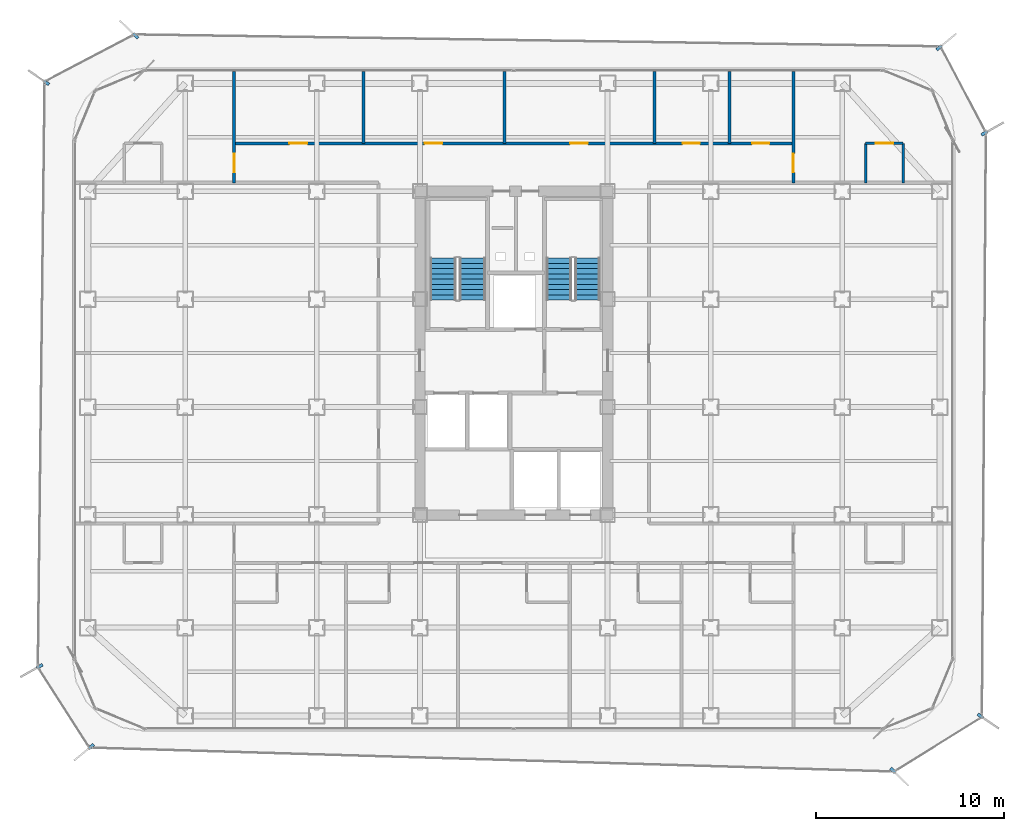
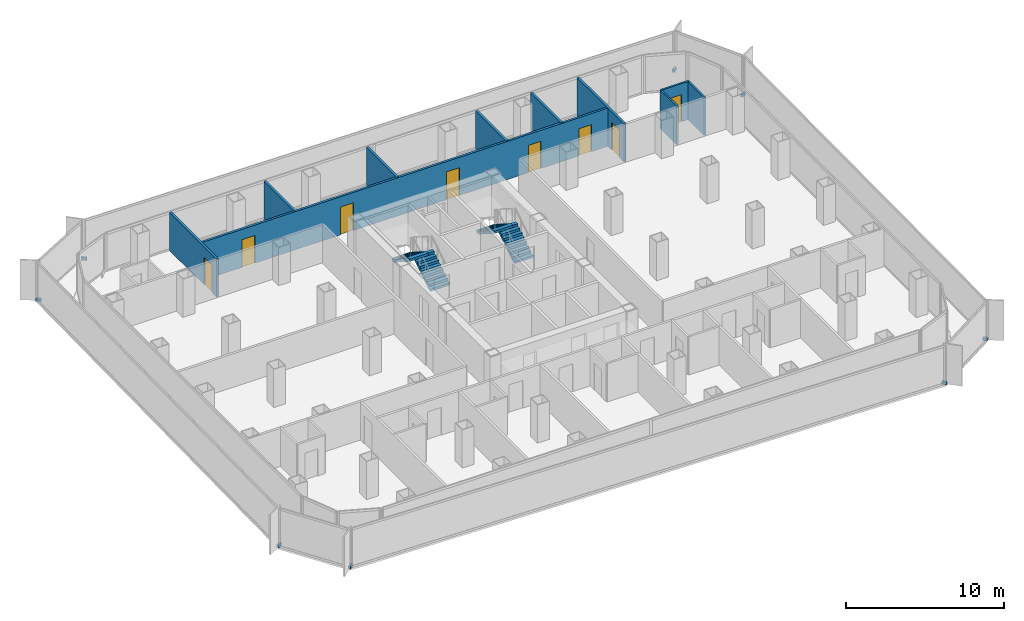
# One storey, part 18 of 21: 10 walls, 8 discrete accessories, 8 doors, 4 stair flights, 8 openings, 2 elements without a shape of their own.
"""IFC4 building model written with IfcOpenShell, lengths in metres."""

from ifc_helpers import new_model, si_unit, direction, frame, frame_2d, origin, origin_2d, place, context, subcontext, project, spatial, polyline, rectangle, outline, extrude, source, transform, mapped, material, layer, layer_set, type_object, element, fill, aggregate, save


model = new_model("IFC4")

# Units and contexts
model_context = context("Model", 3, precision=1e-05, world=origin(), true_north=direction((0.0, 1.0)))
body_context = subcontext(model_context, "Body", "Model", "MODEL_VIEW")
ifc_project = project(units=[si_unit("LENGTHUNIT", "METRE"), si_unit("AREAUNIT", "SQUARE_METRE"), si_unit("VOLUMEUNIT", "CUBIC_METRE"), si_unit("PLANEANGLEUNIT", "RADIAN"), si_unit("MASSUNIT", "GRAM", prefix="KILO")], contexts=[model_context])

# Site, building, storey
site_placement = place(None, origin())
site = spatial("IfcSite", under=ifc_project, at=site_placement, CompositionType="ELEMENT")
building_placement = place(site_placement, origin())
building = spatial("IfcBuilding", under=site, at=building_placement, Name="Kolveth Station Tower", CompositionType="ELEMENT")
storey_placement = place(building_placement, frame((0.0, 0.0, 115.10009765625)))
storey = spatial("IfcBuildingStorey", under=building, at=storey_placement, Name="L31", CompositionType="ELEMENT", Elevation=115.10009765625)

# Walls
ifc_material_1 = material(Name="Moisture-resistant gypsum partition")
ifc_layer_1 = layer(ifc_material_1, 0.135009765625)
ifc_layer_set_1 = layer_set([ifc_layer_1], Name="Moisture-resistant gypsum partition")
wall_type_1 = type_object("IfcWallType", Name="Wall_IW-135", PredefinedType="PARTITIONING", material=ifc_layer_set_1)
for number, where, z_axis, x_axis, name in (
    (1, (42.25, 29.199951171875, 0.0), (0.0, 0.0, 1.0), (0.0, 1.0, 0.0), "L31 Partition Wall WL-L31-ES2-BV1"),
    (2, (44.25, 29.199951171875, 0.0), (0.0, 0.0, 1.0), (0.0, 1.0, 0.0), "L31 Partition Wall WL-L31-ES2-BV2"),
):
    element("IfcWall", number, at=place(storey_placement, frame(where, z_axis=z_axis, x_axis=x_axis)), inside=storey, type_object=wall_type_1, Name=name, PredefinedType="PARTITIONING", context=body_context, shape_type="SweptSolid", body=[
        extrude(rectangle(XDim=2.10009765625, YDim=0.135009765625, at=frame_2d((1.050048828125, 0.0))), origin(), (0.0, 0.0, 1.0), 2.949951171875),
    ])

# Wall, opening, door
wall_1_placement = place(storey_placement, frame((42.25, 31.300048828125, 0.0), z_axis=(0.0, 0.0, 1.0), x_axis=(1.0, 0.0, 0.0)))
wall_1 = element("IfcWall", 3, at=wall_1_placement, inside=storey, type_object=wall_type_1, Name="L31 Partition Wall WL-L31-ES2-BH", PredefinedType="PARTITIONING", context=body_context, shape_type="SweptSolid", body=[
    extrude(rectangle(XDim=2.0, YDim=0.135009765625, at=frame_2d((1.0, 0.0))), origin(), (0.0, 0.0, 1.0), 2.949951171875),
])
opening_1_placement = place(wall_1_placement, frame((0.5400390625, 0.0, 0.0)))
opening_1 = element("IfcOpeningElement", 4, at=opening_1_placement, cuts=wall_1, Name="Opening ID2", PredefinedType="OPENING", context=body_context, shape_type="SweptSolid", body=[
    extrude(rectangle(XDim=0.919921875, YDim=2.10009765625, at=frame_2d((0.4599609375, 1.050048828125))), frame((0.0, 0.077392578125, 0.0), z_axis=(0.0, -1.0, 0.0), x_axis=(1.0, 0.0, 0.0)), (0.0, 0.0, 1.0), 0.155029296875),
])
ifc_material_2 = material(Name="Moisture-resistant hardwood leaf", Category="wood")
door_type_1 = type_object("IfcDoorType", Name="Door_ID2", OperationType="NOTDEFINED", PredefinedType="DOOR", material=ifc_material_2)
door_1_placement = place(opening_1_placement, frame((0.919921875, 0.0, 0.0), z_axis=(0.0, 0.0, 1.0), x_axis=(-1.0, 0.0, 0.0)))
door_1 = element("IfcDoor", 5, at=door_1_placement, inside=storey, type_object=door_type_1, Name="L31 Hotel Guest Room ES2 En-Suite Door", OperationType="SINGLE_SWING_LEFT", OverallHeight=2.10009765625, OverallWidth=0.919921875, PredefinedType="DOOR", context=body_context, shape_type="SweptSolid", body=[
    extrude(rectangle(XDim=0.919921875, YDim=2.10009765625, at=frame_2d((0.4599609375, 1.050048828125))), frame((0.0, 0.02490234375, 0.0), z_axis=(0.0, -1.0, 0.0), x_axis=(1.0, 0.0, 0.0)), (0.0, 0.0, 1.0), 0.050048828125),
])
fill(opening_1, door_1)

# Wall, openings, doors
ifc_material_3 = material(Name="Acoustic double-stud gypsum partition")
ifc_layer_2 = layer(ifc_material_3, 0.1650390625)
ifc_layer_set_2 = layer_set([ifc_layer_2], Name="Acoustic double-stud gypsum partition")
wall_type_2 = type_object("IfcWallType", Name="Wall_IW-165", PredefinedType="PARTITIONING", material=ifc_layer_set_2)
wall_2_placement = place(storey_placement, frame((8.60009765625, 31.300048828125, 0.0), z_axis=(0.0, 0.0, 1.0), x_axis=(1.0, 0.0, 0.0)))
wall_2 = element("IfcWall", 6, at=wall_2_placement, inside=storey, type_object=wall_type_2, Name="L31 Partition Wall WL-L31-HN", PredefinedType="PARTITIONING", context=body_context, shape_type="SweptSolid", body=[
    extrude(rectangle(XDim=29.7998046875, YDim=0.1650390625, at=frame_2d((14.89990234375, 0.0))), origin(), (0.0, 0.0, 1.0), 2.949951171875),
])
opening_2_placement = place(wall_2_placement, frame((2.949951171875, 0.0, 0.0)))
opening_2 = element("IfcOpeningElement", 7, at=opening_2_placement, cuts=wall_2, Name="Opening ID1", PredefinedType="OPENING", context=body_context, shape_type="SweptSolid", body=[
    extrude(rectangle(XDim=0.949951171875, YDim=2.14990234375, at=frame_2d((0.47509765625, 1.074951171875))), frame((0.0, 0.092529296875, 0.0), z_axis=(0.0, -1.0, 0.0), x_axis=(1.0, 0.0, 0.0)), (0.0, 0.0, 1.0), 0.18505859375),
])
opening_3_placement = place(wall_2_placement, frame((10.14990234375, 0.0, 0.0)))
opening_3 = element("IfcOpeningElement", 8, at=opening_3_placement, cuts=wall_2, Name="Opening ID1", PredefinedType="OPENING", context=body_context, shape_type="SweptSolid", body=[
    extrude(rectangle(XDim=0.949951171875, YDim=2.14990234375, at=frame_2d((0.47509765625, 1.074951171875))), frame((0.0, 0.092529296875, 0.0), z_axis=(0.0, -1.0, 0.0), x_axis=(1.0, 0.0, 0.0)), (0.0, 0.0, 1.0), 0.18505859375),
])
opening_4_placement = place(wall_2_placement, frame((17.89990234375, 0.0, 0.0)))
opening_4 = element("IfcOpeningElement", 9, at=opening_4_placement, cuts=wall_2, Name="Opening ID1", PredefinedType="OPENING", context=body_context, shape_type="SweptSolid", body=[
    extrude(rectangle(XDim=0.949951171875, YDim=2.14990234375, at=frame_2d((0.47509765625, 1.074951171875))), frame((0.0, 0.092529296875, 0.0), z_axis=(0.0, -1.0, 0.0), x_axis=(1.0, 0.0, 0.0)), (0.0, 0.0, 1.0), 0.18505859375),
])
opening_5_placement = place(wall_2_placement, frame((23.89990234375, 0.0, 0.0)))
opening_5 = element("IfcOpeningElement", 10, at=opening_5_placement, cuts=wall_2, Name="Opening ID2", PredefinedType="OPENING", context=body_context, shape_type="SweptSolid", body=[
    extrude(rectangle(XDim=0.919921875, YDim=2.10009765625, at=frame_2d((0.4599609375, 1.050048828125))), frame((0.0, 0.092529296875, 0.0), z_axis=(0.0, -1.0, 0.0), x_axis=(1.0, 0.0, 0.0)), (0.0, 0.0, 1.0), 0.18505859375),
])
opening_6_placement = place(wall_2_placement, frame((27.60009765625, 0.0, 0.0)))
opening_6 = element("IfcOpeningElement", 11, at=opening_6_placement, cuts=wall_2, Name="Opening ID2", PredefinedType="OPENING", context=body_context, shape_type="SweptSolid", body=[
    extrude(rectangle(XDim=0.919921875, YDim=2.10009765625, at=frame_2d((0.4599609375, 1.050048828125))), frame((0.0, 0.092529296875, 0.0), z_axis=(0.0, -1.0, 0.0), x_axis=(1.0, 0.0, 0.0)), (0.0, 0.0, 1.0), 0.18505859375),
])
ifc_material_4 = material(Name="Acoustic hardwood leaf and aluminium frame", Category="wood")
door_type_2 = type_object("IfcDoorType", Name="Door_ID1", OperationType="NOTDEFINED", PredefinedType="DOOR", material=ifc_material_4)
door_2_placement = place(opening_2_placement, origin())
door_2 = element("IfcDoor", 12, at=door_2_placement, inside=storey, type_object=door_type_2, Name="L31 Business Study 1 Door", OperationType="SINGLE_SWING_LEFT", OverallHeight=2.14990234375, OverallWidth=0.949951171875, PredefinedType="DOOR", context=body_context, shape_type="SweptSolid", body=[
    extrude(rectangle(XDim=0.949951171875, YDim=2.14990234375, at=frame_2d((0.47509765625, 1.074951171875))), frame((0.0, 0.02490234375, 0.0), z_axis=(0.0, -1.0, 0.0), x_axis=(1.0, 0.0, 0.0)), (0.0, 0.0, 1.0), 0.050048828125),
])
fill(opening_2, door_2)
door_3_placement = place(opening_3_placement, origin())
door_3 = element("IfcDoor", 13, at=door_3_placement, inside=storey, type_object=door_type_2, Name="L31 Business Study 2 Door", OperationType="SINGLE_SWING_LEFT", OverallHeight=2.14990234375, OverallWidth=0.949951171875, PredefinedType="DOOR", context=body_context, shape_type="SweptSolid", body=[
    extrude(rectangle(XDim=0.949951171875, YDim=2.14990234375, at=frame_2d((0.47509765625, 1.074951171875))), frame((0.0, 0.02490234375, 0.0), z_axis=(0.0, -1.0, 0.0), x_axis=(1.0, 0.0, 0.0)), (0.0, 0.0, 1.0), 0.050048828125),
])
fill(opening_3, door_3)
door_4_placement = place(opening_4_placement, origin())
door_4 = element("IfcDoor", 14, at=door_4_placement, inside=storey, type_object=door_type_2, Name="L31 Floor Service Pantry Door", OperationType="SINGLE_SWING_LEFT", OverallHeight=2.14990234375, OverallWidth=0.949951171875, PredefinedType="DOOR", context=body_context, shape_type="SweptSolid", body=[
    extrude(rectangle(XDim=0.949951171875, YDim=2.14990234375, at=frame_2d((0.47509765625, 1.074951171875))), frame((0.0, 0.02490234375, 0.0), z_axis=(0.0, -1.0, 0.0), x_axis=(1.0, 0.0, 0.0)), (0.0, 0.0, 1.0), 0.050048828125),
])
fill(opening_4, door_4)
door_5_placement = place(opening_5_placement, origin())
door_5 = element("IfcDoor", 15, at=door_5_placement, inside=storey, type_object=door_type_1, Name="L31 Guest Toilet Door", OperationType="SINGLE_SWING_RIGHT", OverallHeight=2.10009765625, OverallWidth=0.919921875, PredefinedType="DOOR", context=body_context, shape_type="SweptSolid", body=[
    extrude(rectangle(XDim=0.919921875, YDim=2.10009765625, at=frame_2d((0.4599609375, 1.050048828125))), frame((0.0, 0.02490234375, 0.0), z_axis=(0.0, -1.0, 0.0), x_axis=(1.0, 0.0, 0.0)), (0.0, 0.0, 1.0), 0.050048828125),
])
fill(opening_5, door_5)
door_6_placement = place(opening_6_placement, origin())
door_6 = element("IfcDoor", 16, at=door_6_placement, inside=storey, type_object=door_type_1, Name="L31 Accessible Guest WC Door", OperationType="SINGLE_SWING_LEFT", OverallHeight=2.10009765625, OverallWidth=0.919921875, PredefinedType="DOOR", context=body_context, shape_type="SweptSolid", body=[
    extrude(rectangle(XDim=0.919921875, YDim=2.10009765625, at=frame_2d((0.4599609375, 1.050048828125))), frame((0.0, 0.02490234375, 0.0), z_axis=(0.0, -1.0, 0.0), x_axis=(1.0, 0.0, 0.0)), (0.0, 0.0, 1.0), 0.050048828125),
])
fill(opening_6, door_6)

# Wall, opening, door
wall_3_placement = place(storey_placement, frame((8.60009765625, 29.199951171875, 0.0), z_axis=(0.0, 0.0, 1.0), x_axis=(0.0, 1.0, 0.0)))
wall_3 = element("IfcWall", 17, at=wall_3_placement, inside=storey, type_object=wall_type_2, Name="L31 Partition Wall WL-L31-END-WN", PredefinedType="PARTITIONING", context=body_context, shape_type="SweptSolid", body=[
    extrude(rectangle(XDim=5.93994140625, YDim=0.1650390625, at=frame_2d((2.969970703125, 0.0))), origin(), (0.0, 0.0, 1.0), 2.949951171875),
])
opening_7_placement = place(wall_3_placement, frame((0.550048828125, 0.0, 0.0)))
opening_7 = element("IfcOpeningElement", 18, at=opening_7_placement, cuts=wall_3, Name="Opening FD3", PredefinedType="OPENING", context=body_context, shape_type="SweptSolid", body=[
    extrude(rectangle(XDim=1.0, YDim=2.14990234375, at=frame_2d((0.5, 1.074951171875))), frame((0.0, 0.092529296875, 0.0), z_axis=(0.0, -1.0, 0.0), x_axis=(1.0, 0.0, 0.0)), (0.0, 0.0, 1.0), 0.18505859375),
])
ifc_material_5 = material(Name="Fire-rated hardwood leaf and aluminium frame", Category="wood")
door_type_3 = type_object("IfcDoorType", Name="Door_FD3", OperationType="NOTDEFINED", PredefinedType="DOOR", material=ifc_material_5)
door_7_placement = place(opening_7_placement, origin())
door_7 = element("IfcDoor", 19, at=door_7_placement, inside=storey, type_object=door_type_3, Name="L31 Hotel Corner Suite WS2 Entrance Door", OperationType="SINGLE_SWING_RIGHT", OverallHeight=2.14990234375, OverallWidth=1.0, PredefinedType="DOOR", context=body_context, shape_type="SweptSolid", body=[
    extrude(rectangle(XDim=1.0, YDim=2.14990234375, at=frame_2d((0.5, 1.074951171875))), frame((0.0, 0.02490234375, 0.0), z_axis=(0.0, -1.0, 0.0), x_axis=(1.0, 0.0, 0.0)), (0.0, 0.0, 1.0), 0.050048828125),
])
fill(opening_7, door_7)

wall_4_placement = place(storey_placement, frame((38.39990234375, 29.199951171875, 0.0), z_axis=(0.0, 0.0, 1.0), x_axis=(0.0, 1.0, 0.0)))
wall_4 = element("IfcWall", 20, at=wall_4_placement, inside=storey, type_object=wall_type_2, Name="L31 Partition Wall WL-L31-END-EN", PredefinedType="PARTITIONING", context=body_context, shape_type="SweptSolid", body=[
    extrude(rectangle(XDim=5.93994140625, YDim=0.1650390625, at=frame_2d((2.969970703125, 0.0))), origin(), (0.0, 0.0, 1.0), 2.949951171875),
])
opening_8_placement = place(wall_4_placement, frame((0.550048828125, 0.0, 0.0)))
opening_8 = element("IfcOpeningElement", 21, at=opening_8_placement, cuts=wall_4, Name="Opening FD3", PredefinedType="OPENING", context=body_context, shape_type="SweptSolid", body=[
    extrude(rectangle(XDim=1.0, YDim=2.14990234375, at=frame_2d((0.5, 1.074951171875))), frame((0.0, 0.092529296875, 0.0), z_axis=(0.0, -1.0, 0.0), x_axis=(1.0, 0.0, 0.0)), (0.0, 0.0, 1.0), 0.18505859375),
])
door_8_placement = place(opening_8_placement, frame((1.0, 0.0, 0.0), z_axis=(0.0, 0.0, 1.0), x_axis=(-1.0, 0.0, 0.0)))
door_8 = element("IfcDoor", 22, at=door_8_placement, inside=storey, type_object=door_type_3, Name="L31 Hotel Guest Room ES2 Entrance Door", OperationType="SINGLE_SWING_RIGHT", OverallHeight=2.14990234375, OverallWidth=1.0, PredefinedType="DOOR", context=body_context, shape_type="SweptSolid", body=[
    extrude(rectangle(XDim=1.0, YDim=2.14990234375, at=frame_2d((0.5, 1.074951171875))), frame((0.0, 0.02490234375, 0.0), z_axis=(0.0, -1.0, 0.0), x_axis=(1.0, 0.0, 0.0)), (0.0, 0.0, 1.0), 0.050048828125),
])
fill(opening_8, door_8)

# Walls
for number, where, z_axis, x_axis, name in (
    (23, (15.5, 31.300048828125, 0.0), (0.0, 0.0, 1.0), (0.0, 1.0, 0.0), "L31 Partition Wall WL-L31-HN-P1"),
    (24, (23.0, 31.300048828125, 0.0), (0.0, 0.0, 1.0), (0.0, 1.0, 0.0), "L31 Partition Wall WL-L31-HN-P2"),
    (25, (31.0, 31.300048828125, 0.0), (0.0, 0.0, 1.0), (0.0, 1.0, 0.0), "L31 Partition Wall WL-L31-HN-P3"),
    (26, (35.0, 31.300048828125, 0.0), (0.0, 0.0, 1.0), (0.0, 1.0, 0.0), "L31 Partition Wall WL-L31-HN-P4"),
):
    element("IfcWall", number, at=place(storey_placement, frame(where, z_axis=z_axis, x_axis=x_axis)), inside=storey, type_object=wall_type_2, Name=name, PredefinedType="PARTITIONING", context=body_context, shape_type="SweptSolid", body=[
        extrude(rectangle(XDim=3.83984375, YDim=0.1650390625, at=frame_2d((1.919921875, 0.0))), origin(), (0.0, 0.0, 1.0), 2.949951171875),
    ])

# Stair, stair flights
ifc_material_6 = material(Name="Concrete C40/50", Category="concrete")
stair_type_1 = type_object("IfcStairType", Name="Stair_ST1", PredefinedType="HALF_TURN_STAIR", material=ifc_material_6)
stair_1_placement = place(storey_placement, origin())
stair_1 = element("IfcStair", 27, at=stair_1_placement, inside=storey, type_object=stair_type_1, Name="L31 Tower Exit Stair ST1", PredefinedType="HALF_TURN_STAIR")
ifc_layer_3 = layer(ifc_material_6, 0.179931640625)
ifc_layer_set_3 = layer_set([ifc_layer_3], Name="Concrete C40/50")
stair_flight_type_1 = type_object("IfcStairFlightType", Name="Flight_ST1", PredefinedType="STRAIGHT", material=ifc_layer_set_3)
stair_flight_1_placement = place(storey_placement, frame((21.300048828125, 22.949951171875, 0.0), z_axis=(0.0, 0.0, 1.0), x_axis=(0.0, 1.0, 0.0)))
stair_flight_1 = element("IfcStairFlight", 28, at=stair_flight_1_placement, type_object=stair_flight_type_1, Name="ST1 flight 1", NumberOfRisers=9, NumberOfTreads=8, PredefinedType="STRAIGHT", RiserHeight=0.177777778, TreadLength=0.28, context=body_context, shape_type="SweptSolid", body=[
    extrude(outline(polyline([(0.0, 0.0), (0.0, 0.177734375), (0.280029296875, 0.177734375), (0.280029296875, 0.35546875), (0.56005859375, 0.35546875), (0.56005859375, 0.533447265625), (0.840087890625, 0.533447265625), (0.840087890625, 0.711181640625), (1.1201171875, 0.711181640625), (1.1201171875, 0.888916015625), (1.39990234375, 0.888916015625), (1.39990234375, 1.066650390625), (1.679931640625, 1.066650390625), (1.679931640625, 1.244384765625), (1.9599609375, 1.244384765625), (1.9599609375, 1.422119140625), (2.239990234375, 1.422119140625), (2.239990234375, 1.60009765625), (2.239990234375, 1.24462890625), (0.27978515625, 0.0), (0.0, 0.0)])), frame((0.0, 0.699951171875, 0.0), z_axis=(0.0, -1.0, 0.0), x_axis=(1.0, 0.0, 0.0)), (0.0, 0.0, 1.0), 1.39990234375),
])
stair_flight_2_placement = place(storey_placement, frame((19.739990234375, 25.18994140625, 1.599853515625), z_axis=(0.0, 0.0, 1.0), x_axis=(0.0, -1.0, 0.0)))
stair_flight_2 = element("IfcStairFlight", 29, at=stair_flight_2_placement, type_object=stair_flight_type_1, Name="ST1 flight 2", NumberOfRisers=9, NumberOfTreads=8, PredefinedType="STRAIGHT", RiserHeight=0.177777778, TreadLength=0.28, context=body_context, shape_type="SweptSolid", body=[
    extrude(outline(polyline([(0.0, 0.0), (0.0, 0.177734375), (0.280029296875, 0.177734375), (0.280029296875, 0.35546875), (0.56005859375, 0.35546875), (0.56005859375, 0.533447265625), (0.840087890625, 0.533447265625), (0.840087890625, 0.711181640625), (1.1201171875, 0.711181640625), (1.1201171875, 0.888916015625), (1.39990234375, 0.888916015625), (1.39990234375, 1.066650390625), (1.679931640625, 1.066650390625), (1.679931640625, 1.244384765625), (1.9599609375, 1.244384765625), (1.9599609375, 1.422119140625), (2.239990234375, 1.422119140625), (2.239990234375, 1.60009765625), (2.239990234375, 1.24462890625), (0.27978515625, 0.0), (0.0, 0.0)])), frame((0.0, 0.699951171875, 0.0), z_axis=(0.0, -1.0, 0.0), x_axis=(1.0, 0.0, 0.0)), (0.0, 0.0, 1.0), 1.39990234375),
])
aggregate(stair_1, [stair_flight_1, stair_flight_2])

stair_type_2 = type_object("IfcStairType", Name="Stair_ST2", PredefinedType="HALF_TURN_STAIR", material=ifc_material_6)
stair_2_placement = place(storey_placement, origin())
stair_2 = element("IfcStair", 30, at=stair_2_placement, inside=storey, type_object=stair_type_2, Name="L31 Tower Exit Stair ST2", PredefinedType="HALF_TURN_STAIR")
ifc_layer_4 = layer(ifc_material_6, 0.179931640625)
ifc_layer_set_4 = layer_set([ifc_layer_4], Name="Concrete C40/50")
stair_flight_type_2 = type_object("IfcStairFlightType", Name="Flight_ST2", PredefinedType="STRAIGHT", material=ifc_layer_set_4)
stair_flight_3_placement = place(storey_placement, frame((27.425048828125, 22.949951171875, 0.0), z_axis=(0.0, 0.0, 1.0), x_axis=(0.0, 1.0, 0.0)))
stair_flight_3 = element("IfcStairFlight", 31, at=stair_flight_3_placement, type_object=stair_flight_type_2, Name="ST2 flight 1", NumberOfRisers=9, NumberOfTreads=8, PredefinedType="STRAIGHT", RiserHeight=0.177777778, TreadLength=0.28, context=body_context, shape_type="SweptSolid", body=[
    extrude(outline(polyline([(0.0, 0.0), (0.0, 0.177734375), (0.280029296875, 0.177734375), (0.280029296875, 0.35546875), (0.56005859375, 0.35546875), (0.56005859375, 0.533447265625), (0.840087890625, 0.533447265625), (0.840087890625, 0.711181640625), (1.1201171875, 0.711181640625), (1.1201171875, 0.888916015625), (1.39990234375, 0.888916015625), (1.39990234375, 1.066650390625), (1.679931640625, 1.066650390625), (1.679931640625, 1.244384765625), (1.9599609375, 1.244384765625), (1.9599609375, 1.422119140625), (2.239990234375, 1.422119140625), (2.239990234375, 1.60009765625), (2.239990234375, 1.24462890625), (0.27978515625, 0.0), (0.0, 0.0)])), frame((0.0, 0.675048828125, 0.0), z_axis=(0.0, -1.0, 0.0), x_axis=(1.0, 0.0, 0.0)), (0.0, 0.0, 1.0), 1.35009765625),
])
stair_flight_4_placement = place(storey_placement, frame((25.9150390625, 25.18994140625, 1.599853515625), z_axis=(0.0, 0.0, 1.0), x_axis=(0.0, -1.0, 0.0)))
stair_flight_4 = element("IfcStairFlight", 32, at=stair_flight_4_placement, type_object=stair_flight_type_2, Name="ST2 flight 2", NumberOfRisers=9, NumberOfTreads=8, PredefinedType="STRAIGHT", RiserHeight=0.177777778, TreadLength=0.28, context=body_context, shape_type="SweptSolid", body=[
    extrude(outline(polyline([(0.0, 0.0), (0.0, 0.177734375), (0.280029296875, 0.177734375), (0.280029296875, 0.35546875), (0.56005859375, 0.35546875), (0.56005859375, 0.533447265625), (0.840087890625, 0.533447265625), (0.840087890625, 0.711181640625), (1.1201171875, 0.711181640625), (1.1201171875, 0.888916015625), (1.39990234375, 0.888916015625), (1.39990234375, 1.066650390625), (1.679931640625, 1.066650390625), (1.679931640625, 1.244384765625), (1.9599609375, 1.244384765625), (1.9599609375, 1.422119140625), (2.239990234375, 1.422119140625), (2.239990234375, 1.60009765625), (2.239990234375, 1.24462890625), (0.27978515625, 0.0), (0.0, 0.0)])), frame((0.0, 0.675048828125, 0.0), z_axis=(0.0, -1.0, 0.0), x_axis=(1.0, 0.0, 0.0)), (0.0, 0.0, 1.0), 1.35009765625),
])
aggregate(stair_2, [stair_flight_3, stair_flight_4])

# Discrete accessories
ifc_material_7 = material(Name="Steel S355", Category="steel")
discrete_accessory_type = type_object("IfcDiscreteAccessoryType", Name="Bracket_BK1", PredefinedType="BRACKET", material=ifc_material_7)
shared_shape = source(origin(), body_context, "Body", "SweptSolid", [
    extrude(rectangle(XDim=0.35009765625, YDim=0.159912109375, at=origin_2d()), origin(), (0.0, 0.0, 1.0), 0.219970703125),
])
for number, where, z_axis, x_axis, name in (
    (33, (43.696044921875, -2.10791015625, -0.06005859375), (0.0, 0.0, 1.0), (0.714838924546, -0.699289147602, 0.0), "L31 Double-Skin Radial Tie Bracket 1"),
    (34, (48.366943359375, 0.7880859375, -0.06005859375), (0.0, 0.0, 1.0), (0.827668733006, -0.561216953062, 0.0), "L31 Double-Skin Radial Tie Bracket 2"),
    (35, (48.573974609375, 31.839111328125, -0.06005859375), (0.0, 0.0, 1.0), (0.87026973856, 0.492575458328, 0.0), "L31 Double-Skin Radial Tie Bracket 3"),
    (36, (46.16796875, 36.39599609375, -0.06005859375), (0.0, 0.0, 1.0), (0.770624482513, 0.637289500111, 0.0), "L31 Double-Skin Radial Tie Bracket 4"),
    (37, (3.35205078125, 37.02587890625, -0.06005859375), (0.0, 0.0, 1.0), (-0.720793110676, 0.69315026625, 0.0), "L31 Double-Skin Radial Tie Bracket 5"),
    (38, (-1.405029296875, 34.533935546875, -0.06005859375), (0.0, 0.0, 1.0), (-0.827668733006, 0.561216953062, 0.0), "L31 Double-Skin Radial Tie Bracket 6"),
    (39, (-1.760986328125, 3.43701171875, -0.06005859375), (0.0, 0.0, 1.0), (-0.871556314255, -0.490295412055, 0.0), "L31 Double-Skin Radial Tie Bracket 7"),
    (40, (0.97998046875, -0.837890625, -0.06005859375), (0.0, 0.0, 1.0), (-0.772955089162, -0.634460739636, 0.0), "L31 Double-Skin Radial Tie Bracket 8"),
):
    element("IfcDiscreteAccessory", number, at=place(storey_placement, frame(where, z_axis=z_axis, x_axis=x_axis)), inside=storey, type_object=discrete_accessory_type, Name=name, PredefinedType="BRACKET", context=body_context, shape_type="MappedRepresentation", body=[
        mapped(shared_shape, transform((0.0, 0.0, 0.0), x_axis=(1.0, 0.0, 0.0), y_axis=(0.0, 1.0, 0.0), z_axis=(0.0, 0.0, 1.0), scale=1.0)),
    ])

save(model, "model.ifc")
